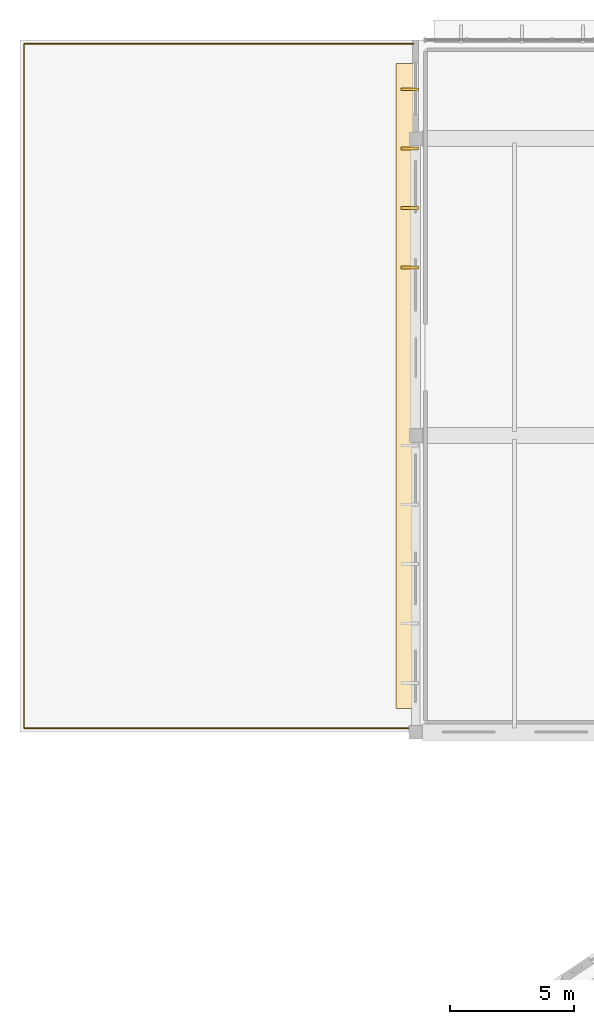
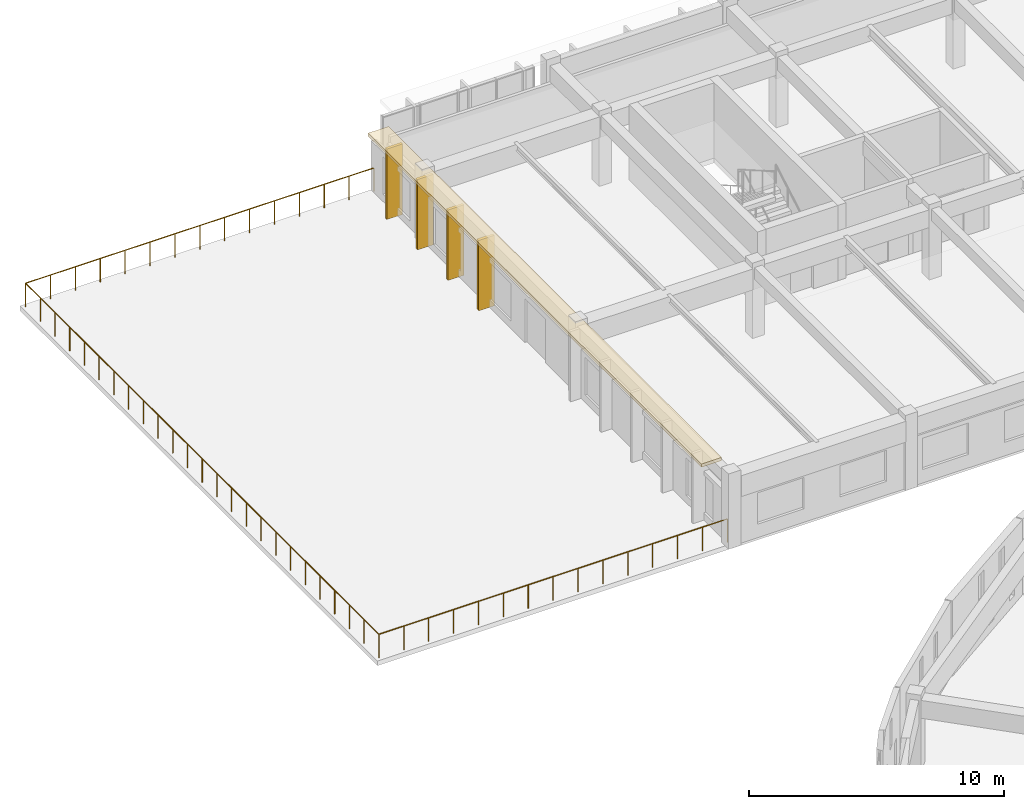
# One storey, part 136 of 155: 5 coverings, 1 railing.
"""IFC4 building model written with IfcOpenShell, lengths in metres."""

from ifc_helpers import new_model, si_unit, direction, frame, origin, origin_2d, place, context, subcontext, project, spatial, rectangle, circle, extrude, material, layer, layer_set, type_object, element, save


model = new_model("IFC4")

# Units and contexts
model_context = context("Model", 3, precision=1e-05, world=origin(), true_north=direction((0.0, 1.0)))
body_context = subcontext(model_context, "Body", "Model", "MODEL_VIEW")
ifc_project = project(units=[si_unit("LENGTHUNIT", "METRE"), si_unit("AREAUNIT", "SQUARE_METRE"), si_unit("VOLUMEUNIT", "CUBIC_METRE"), si_unit("PLANEANGLEUNIT", "RADIAN"), si_unit("MASSUNIT", "GRAM", prefix="KILO")], contexts=[model_context])

# Site, building, storey
site_placement = place(None, origin())
site = spatial("IfcSite", under=ifc_project, at=site_placement, CompositionType="ELEMENT")
building_placement = place(site_placement, origin())
building = spatial("IfcBuilding", under=site, at=building_placement, Name="Larkveld Mobility Hub", CompositionType="ELEMENT")
storey_placement = place(building_placement, frame((0.0, 0.0, 8.39990234375)))
storey = spatial("IfcBuildingStorey", under=building, at=storey_placement, Name="L02", CompositionType="ELEMENT", Elevation=8.39990234375)

# Coverings
ifc_material_1 = material(Name="Precast concrete C50/60", Category="concrete")
ifc_layer_1 = layer(ifc_material_1, 0.14990234375, Name="Precast concrete C50/60", Category="concrete")
ifc_layer_set_1 = layer_set([ifc_layer_1], Name="Precast concrete C50/60")
covering_type_1 = type_object("IfcCoveringType", Name="COV-QSL-H01", PredefinedType="CLADDING", material=ifc_layer_set_1)
covering_placement = place(storey_placement, frame((15.659912109375, 112.0, 3.3701171875), z_axis=(0.0, 0.0, 1.0), x_axis=(0.0, -1.0, 0.0)))
element("IfcCovering", 1, at=covering_placement, inside=storey, type_object=covering_type_1, Name="Precast Quebra-Sol Horizontal Sunbreaker QSH-146", PredefinedType="CLADDING", context=body_context, shape_type="SweptSolid", body=[
    extrude(rectangle(XDim=26.10009765625, YDim=0.919921875, at=origin_2d()), origin(), (0.0, 0.0, 1.0), 0.14990234375),
])
ifc_layer_2 = layer(ifc_material_1, 0.1201171875, Name="Precast concrete C50/60", Category="concrete")
ifc_layer_set_2 = layer_set([ifc_layer_2], Name="Precast concrete C50/60")
covering_type_2 = type_object("IfcCoveringType", Name="COV-QSL-V01", PredefinedType="CLADDING", material=ifc_layer_set_2)
for number, where, z_axis, x_axis, name in (
    (2, (15.760009765625, 124.0, -0.019287109375), (0.0, 0.0, 1.0), (0.0, -1.0, 0.0), "Precast Quebra-Sol Vertical Fin QSV-147"),
    (3, (15.760009765625, 121.60009765625, -0.019287109375), (0.0, 0.0, 1.0), (0.0, -1.0, 0.0), "Precast Quebra-Sol Vertical Fin QSV-148"),
    (4, (15.760009765625, 119.199951171875, -0.019287109375), (0.0, 0.0, 1.0), (0.0, -1.0, 0.0), "Precast Quebra-Sol Vertical Fin QSV-149"),
    (5, (15.760009765625, 116.800048828125, -0.019287109375), (0.0, 0.0, 1.0), (0.0, -1.0, 0.0), "Precast Quebra-Sol Vertical Fin QSV-150"),
):
    element("IfcCovering", number, at=place(storey_placement, frame(where, z_axis=z_axis, x_axis=x_axis)), inside=storey, type_object=covering_type_2, Name=name, PredefinedType="CLADDING", context=body_context, shape_type="SweptSolid", body=[
        extrude(rectangle(XDim=0.1201171875, YDim=0.719970703125, at=origin_2d()), origin(), (0.0, 0.0, 1.0), 3.375),
    ])

# Railing
ifc_material_2 = material(Name="Anodized aluminium 6063-T6 balustrade", Category="aluminium")
railing_type = type_object("IfcRailingType", Name="RL-GRD-1150", PredefinedType="GUARDRAIL", material=ifc_material_2)
railing_placement = place(storey_placement, frame((15.919921875, 98.159912109375, 0.0)))
element("IfcRailing", 6, at=railing_placement, inside=storey, type_object=railing_type, Name="Bicycle Hall L02 West Terrace Guard L02-048", PredefinedType="GUARDRAIL", context=body_context, shape_type="SweptSolid", body=[
    extrude(circle(Radius=0.02392578125, at=origin_2d()), frame((0.0, 0.0, 1.1259765625), z_axis=(-1.0, 0.0, 0.0), x_axis=(0.0, -1.0, 0.0)), (0.0, 0.0, 1.0), 15.760009765625),
    extrude(circle(Radius=0.02392578125, at=origin_2d()), frame((-15.760009765625, 0.0, 1.1259765625), z_axis=(0.0, 1.0, 0.0), x_axis=(-1.0, 0.0, 0.0)), (0.0, 0.0, 1.0), 27.68017578125),
    extrude(circle(Radius=0.02392578125, at=origin_2d()), frame((-15.760009765625, 27.68017578125, 1.1259765625), z_axis=(1.0, 0.0, 0.0), x_axis=(0.0, 1.0, 0.0)), (0.0, 0.0, 1.0), 15.760009765625),
    extrude(circle(Radius=0.02099609375, at=origin_2d()), origin(), (0.0, 0.0, 1.0), 1.101806640625),
    extrude(circle(Radius=0.02099609375, at=origin_2d()), frame((-1.125732421875, 0.0, 0.0)), (0.0, 0.0, 1.0), 1.101806640625),
    extrude(circle(Radius=0.02099609375, at=origin_2d()), frame((-2.25146484375, 0.0, 0.0)), (0.0, 0.0, 1.0), 1.101806640625),
    extrude(circle(Radius=0.02099609375, at=origin_2d()), frame((-3.377197265625, 0.0, 0.0)), (0.0, 0.0, 1.0), 1.101806640625),
    extrude(circle(Radius=0.02099609375, at=origin_2d()), frame((-4.5029296875, 0.0, 0.0)), (0.0, 0.0, 1.0), 1.101806640625),
    extrude(circle(Radius=0.02099609375, at=origin_2d()), frame((-5.628662109375, 0.0, 0.0)), (0.0, 0.0, 1.0), 1.101806640625),
    extrude(circle(Radius=0.02099609375, at=origin_2d()), frame((-6.75439453125, 0.0, 0.0)), (0.0, 0.0, 1.0), 1.101806640625),
    extrude(circle(Radius=0.02099609375, at=origin_2d()), frame((-7.8798828125, 0.0, 0.0)), (0.0, 0.0, 1.0), 1.101806640625),
    extrude(circle(Radius=0.02099609375, at=origin_2d()), frame((-9.005615234375, 0.0, 0.0)), (0.0, 0.0, 1.0), 1.101806640625),
    extrude(circle(Radius=0.02099609375, at=origin_2d()), frame((-10.13134765625, 0.0, 0.0)), (0.0, 0.0, 1.0), 1.101806640625),
    extrude(circle(Radius=0.02099609375, at=origin_2d()), frame((-11.257080078125, 0.0, 0.0)), (0.0, 0.0, 1.0), 1.101806640625),
    extrude(circle(Radius=0.02099609375, at=origin_2d()), frame((-12.3828125, 0.0, 0.0)), (0.0, 0.0, 1.0), 1.101806640625),
    extrude(circle(Radius=0.02099609375, at=origin_2d()), frame((-13.508544921875, 0.0, 0.0)), (0.0, 0.0, 1.0), 1.101806640625),
    extrude(circle(Radius=0.02099609375, at=origin_2d()), frame((-14.63427734375, 0.0, 0.0)), (0.0, 0.0, 1.0), 1.101806640625),
    extrude(circle(Radius=0.02099609375, at=origin_2d()), frame((-15.760009765625, 0.0, 0.0)), (0.0, 0.0, 1.0), 1.101806640625),
    extrude(circle(Radius=0.02099609375, at=origin_2d()), frame((-15.760009765625, 1.1533203125, 0.0)), (0.0, 0.0, 1.0), 1.101806640625),
    extrude(circle(Radius=0.02099609375, at=origin_2d()), frame((-15.760009765625, 2.306640625, 0.0)), (0.0, 0.0, 1.0), 1.101806640625),
    extrude(circle(Radius=0.02099609375, at=origin_2d()), frame((-15.760009765625, 3.4599609375, 0.0)), (0.0, 0.0, 1.0), 1.101806640625),
    extrude(circle(Radius=0.02099609375, at=origin_2d()), frame((-15.760009765625, 4.61328125, 0.0)), (0.0, 0.0, 1.0), 1.101806640625),
    extrude(circle(Radius=0.02099609375, at=origin_2d()), frame((-15.760009765625, 5.7666015625, 0.0)), (0.0, 0.0, 1.0), 1.101806640625),
    extrude(circle(Radius=0.02099609375, at=origin_2d()), frame((-15.760009765625, 6.919921875, 0.0)), (0.0, 0.0, 1.0), 1.101806640625),
    extrude(circle(Radius=0.02099609375, at=origin_2d()), frame((-15.760009765625, 8.073486328125, 0.0)), (0.0, 0.0, 1.0), 1.101806640625),
    extrude(circle(Radius=0.02099609375, at=origin_2d()), frame((-15.760009765625, 9.226806640625, 0.0)), (0.0, 0.0, 1.0), 1.101806640625),
    extrude(circle(Radius=0.02099609375, at=origin_2d()), frame((-15.760009765625, 10.380126953125, 0.0)), (0.0, 0.0, 1.0), 1.101806640625),
    extrude(circle(Radius=0.02099609375, at=origin_2d()), frame((-15.760009765625, 11.533447265625, 0.0)), (0.0, 0.0, 1.0), 1.101806640625),
    extrude(circle(Radius=0.02099609375, at=origin_2d()), frame((-15.760009765625, 12.686767578125, 0.0)), (0.0, 0.0, 1.0), 1.101806640625),
    extrude(circle(Radius=0.02099609375, at=origin_2d()), frame((-15.760009765625, 13.840087890625, 0.0)), (0.0, 0.0, 1.0), 1.101806640625),
    extrude(circle(Radius=0.02099609375, at=origin_2d()), frame((-15.760009765625, 14.993408203125, 0.0)), (0.0, 0.0, 1.0), 1.101806640625),
    extrude(circle(Radius=0.02099609375, at=origin_2d()), frame((-15.760009765625, 16.146728515625, 0.0)), (0.0, 0.0, 1.0), 1.101806640625),
    extrude(circle(Radius=0.02099609375, at=origin_2d()), frame((-15.760009765625, 17.300048828125, 0.0)), (0.0, 0.0, 1.0), 1.101806640625),
    extrude(circle(Radius=0.02099609375, at=origin_2d()), frame((-15.760009765625, 18.453369140625, 0.0)), (0.0, 0.0, 1.0), 1.101806640625),
    extrude(circle(Radius=0.02099609375, at=origin_2d()), frame((-15.760009765625, 19.606689453125, 0.0)), (0.0, 0.0, 1.0), 1.101806640625),
    extrude(circle(Radius=0.02099609375, at=origin_2d()), frame((-15.760009765625, 20.76025390625, 0.0)), (0.0, 0.0, 1.0), 1.101806640625),
    extrude(circle(Radius=0.02099609375, at=origin_2d()), frame((-15.760009765625, 21.91357421875, 0.0)), (0.0, 0.0, 1.0), 1.101806640625),
    extrude(circle(Radius=0.02099609375, at=origin_2d()), frame((-15.760009765625, 23.06689453125, 0.0)), (0.0, 0.0, 1.0), 1.101806640625),
    extrude(circle(Radius=0.02099609375, at=origin_2d()), frame((-15.760009765625, 24.22021484375, 0.0)), (0.0, 0.0, 1.0), 1.101806640625),
    extrude(circle(Radius=0.02099609375, at=origin_2d()), frame((-15.760009765625, 25.37353515625, 0.0)), (0.0, 0.0, 1.0), 1.101806640625),
    extrude(circle(Radius=0.02099609375, at=origin_2d()), frame((-15.760009765625, 26.52685546875, 0.0)), (0.0, 0.0, 1.0), 1.101806640625),
    extrude(circle(Radius=0.02099609375, at=origin_2d()), frame((-15.760009765625, 27.68017578125, 0.0)), (0.0, 0.0, 1.0), 1.101806640625),
    extrude(circle(Radius=0.02099609375, at=origin_2d()), frame((-14.63427734375, 27.68017578125, 0.0)), (0.0, 0.0, 1.0), 1.101806640625),
    extrude(circle(Radius=0.02099609375, at=origin_2d()), frame((-13.508544921875, 27.68017578125, 0.0)), (0.0, 0.0, 1.0), 1.101806640625),
    extrude(circle(Radius=0.02099609375, at=origin_2d()), frame((-12.3828125, 27.68017578125, 0.0)), (0.0, 0.0, 1.0), 1.101806640625),
    extrude(circle(Radius=0.02099609375, at=origin_2d()), frame((-11.257080078125, 27.68017578125, 0.0)), (0.0, 0.0, 1.0), 1.101806640625),
    extrude(circle(Radius=0.02099609375, at=origin_2d()), frame((-10.13134765625, 27.68017578125, 0.0)), (0.0, 0.0, 1.0), 1.101806640625),
    extrude(circle(Radius=0.02099609375, at=origin_2d()), frame((-9.005615234375, 27.68017578125, 0.0)), (0.0, 0.0, 1.0), 1.101806640625),
    extrude(circle(Radius=0.02099609375, at=origin_2d()), frame((-7.8798828125, 27.68017578125, 0.0)), (0.0, 0.0, 1.0), 1.101806640625),
    extrude(circle(Radius=0.02099609375, at=origin_2d()), frame((-6.75439453125, 27.68017578125, 0.0)), (0.0, 0.0, 1.0), 1.101806640625),
    extrude(circle(Radius=0.02099609375, at=origin_2d()), frame((-5.628662109375, 27.68017578125, 0.0)), (0.0, 0.0, 1.0), 1.101806640625),
    extrude(circle(Radius=0.02099609375, at=origin_2d()), frame((-4.5029296875, 27.68017578125, 0.0)), (0.0, 0.0, 1.0), 1.101806640625),
    extrude(circle(Radius=0.02099609375, at=origin_2d()), frame((-3.377197265625, 27.68017578125, 0.0)), (0.0, 0.0, 1.0), 1.101806640625),
    extrude(circle(Radius=0.02099609375, at=origin_2d()), frame((-2.25146484375, 27.68017578125, 0.0)), (0.0, 0.0, 1.0), 1.101806640625),
    extrude(circle(Radius=0.02099609375, at=origin_2d()), frame((-1.125732421875, 27.68017578125, 0.0)), (0.0, 0.0, 1.0), 1.101806640625),
    extrude(circle(Radius=0.02099609375, at=origin_2d()), frame((0.0, 27.68017578125, 0.0)), (0.0, 0.0, 1.0), 1.101806640625),
])

save(model, "model.ifc")
